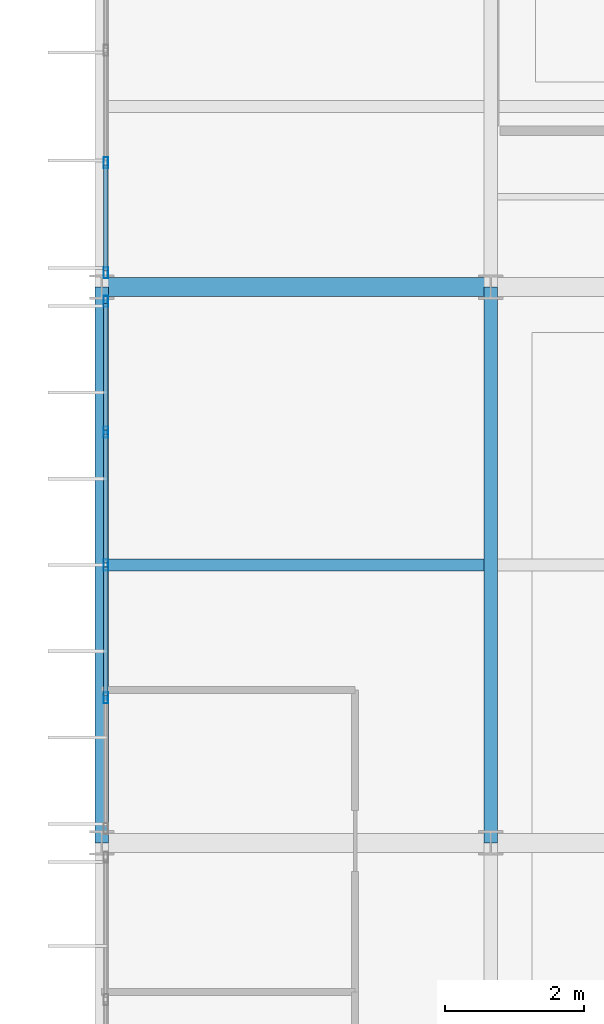
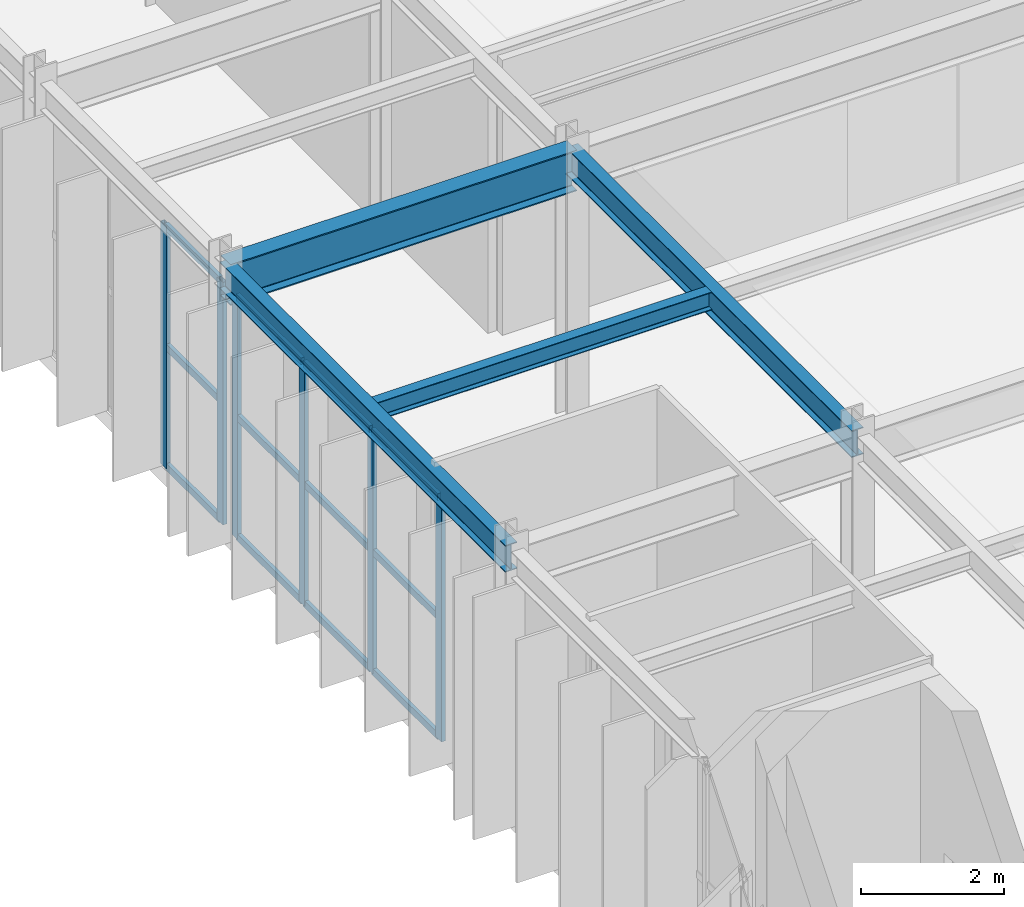
# One storey, part 36 of 144: 18 members, 4 beams, 2 elements without a shape of their own.
"""IFC4 building model written with IfcOpenShell, lengths in metres."""

from ifc_helpers import new_model, si_unit, direction, frame, origin, origin_2d, place, context, subcontext, project, spatial, hollow_rectangle, i_section, extrude, material, material_profile, profile_set, type_object, element, aggregate, save


model = new_model("IFC4")

# Units and contexts
model_context = context("Model", 3, precision=1e-05, world=origin(), true_north=direction((0.0, 1.0)))
body_context = subcontext(model_context, "Body", "Model", "MODEL_VIEW")
ifc_project = project(units=[si_unit("LENGTHUNIT", "METRE"), si_unit("AREAUNIT", "SQUARE_METRE"), si_unit("VOLUMEUNIT", "CUBIC_METRE"), si_unit("PLANEANGLEUNIT", "RADIAN"), si_unit("MASSUNIT", "GRAM", prefix="KILO")], contexts=[model_context])

# Site, building, storey
site_placement = place(None, origin())
site = spatial("IfcSite", under=ifc_project, at=site_placement, CompositionType="ELEMENT")
building_placement = place(site_placement, origin())
building = spatial("IfcBuilding", under=site, at=building_placement, Name="Karori Crest Natural Sciences Institute", CompositionType="ELEMENT")
storey_placement = place(building_placement, origin())
storey = spatial("IfcBuildingStorey", under=building, at=storey_placement, Name="L00", CompositionType="ELEMENT", Elevation=0.0)

# Beams
ifc_material_1 = material(Name="Structural steel AS/NZS 3679.1 Grade 350", Category="steel")
ifc_material_profile_1 = material_profile(ifc_material_1, i_section(OverallWidth=0.27490234375, OverallDepth=0.699951171875, WebThickness=0.010009765625, FlangeThickness=0.02001953125, FilletRadius=0.013916015625, at=origin_2d()), Name="700WB150")
ifc_profile_set_1 = profile_set([ifc_material_profile_1], Name="Structural steel AS/NZS 3679.1 Grade 350")
beam_type_1 = type_object("IfcBeamType", Name="BT-03", PredefinedType="BEAM", material=ifc_profile_set_1)
beam_1_placement = place(storey_placement, frame((1.800048828125, 55.0, 4.27001953125), z_axis=(1.0, 0.0, 0.0), x_axis=(0.0, 1.0, 0.0)))
element("IfcBeam", 1, at=beam_1_placement, inside=storey, type_object=beam_type_1, Name="Beam B-0949", PredefinedType="BEAM", context=body_context, shape_type="SweptSolid", body=[
    extrude(i_section(OverallWidth=0.27490234375, OverallDepth=0.699951171875, WebThickness=0.010009765625, FlangeThickness=0.02001953125, FilletRadius=0.013916015625, at=origin_2d()), origin(), (0.0, 0.0, 1.0), 5.599853515625),
])
ifc_material_profile_2 = material_profile(ifc_material_1, i_section(OverallWidth=0.19091796875, OverallDepth=0.4599609375, WebThickness=0.010009765625, FlangeThickness=0.01611328125, FilletRadius=0.010986328125, at=origin_2d()), Name="460UB82.1")
ifc_profile_set_2 = profile_set([ifc_material_profile_2], Name="Structural steel AS/NZS 3679.1 Grade 350")
beam_type_2 = type_object("IfcBeamType", Name="BT-06", PredefinedType="BEAM", material=ifc_profile_set_2)
beam_2_placement = place(storey_placement, frame((7.39990234375, 47.0, 4.389892578125), z_axis=(0.0, 1.0, 0.0), x_axis=(-1.0, 0.0, 0.0)))
element("IfcBeam", 2, at=beam_2_placement, inside=storey, type_object=beam_type_2, Name="Beam B-0970", PredefinedType="BEAM", context=body_context, shape_type="SweptSolid", body=[
    extrude(i_section(OverallWidth=0.19091796875, OverallDepth=0.4599609375, WebThickness=0.010009765625, FlangeThickness=0.01611328125, FilletRadius=0.010986328125, at=origin_2d()), origin(), (0.0, 0.0, 1.0), 8.0),
])
ifc_material_profile_3 = material_profile(ifc_material_1, i_section(OverallWidth=0.19091796875, OverallDepth=0.4599609375, WebThickness=0.010009765625, FlangeThickness=0.01611328125, FilletRadius=0.010986328125, at=origin_2d()), Name="460UB82.1")
ifc_profile_set_3 = profile_set([ifc_material_profile_3], Name="Structural steel AS/NZS 3679.1 Grade 350")
beam_type_3 = type_object("IfcBeamType", Name="BT-06-EL", PredefinedType="BEAM", material=ifc_profile_set_3)
beam_3_placement = place(storey_placement, frame((1.800048828125, 47.0, 4.389892578125), z_axis=(0.0, 1.0, 0.0), x_axis=(-1.0, 0.0, 0.0)))
element("IfcBeam", 3, at=beam_3_placement, inside=storey, type_object=beam_type_3, Name="Beam B-0963", PredefinedType="BEAM", context=body_context, shape_type="SweptSolid", body=[
    extrude(i_section(OverallWidth=0.19091796875, OverallDepth=0.4599609375, WebThickness=0.010009765625, FlangeThickness=0.01611328125, FilletRadius=0.010986328125, at=origin_2d()), origin(), (0.0, 0.0, 1.0), 8.0),
])
ifc_material_profile_4 = material_profile(ifc_material_1, i_section(OverallWidth=0.166015625, OverallDepth=0.306884765625, WebThickness=0.006591796875, FlangeThickness=0.01171875, FilletRadius=0.010986328125, at=origin_2d()), Name="310UB46.2")
ifc_profile_set_4 = profile_set([ifc_material_profile_4], Name="Structural steel AS/NZS 3679.1 Grade 350")
beam_type_4 = type_object("IfcBeamType", Name="BT-09", PredefinedType="BEAM", material=ifc_profile_set_4)
beam_4_placement = place(storey_placement, frame((1.8955078125, 51.0, 4.466552734375), z_axis=(1.0, 0.0, 0.0), x_axis=(0.0, 1.0, 0.0)))
element("IfcBeam", 4, at=beam_4_placement, inside=storey, type_object=beam_type_4, Name="Beam B-0989", PredefinedType="BEAM", context=body_context, shape_type="SweptSolid", body=[
    extrude(i_section(OverallWidth=0.166015625, OverallDepth=0.306884765625, WebThickness=0.006591796875, FlangeThickness=0.01171875, FilletRadius=0.010986328125, at=origin_2d()), origin(), (0.0, 0.0, 1.0), 5.408935546875),
])

# Curtain wall, members
ifc_material_2 = material(Name="Anodised architectural aluminium 6063-T6", Category="aluminium")
curtain_wall_type = type_object("IfcCurtainWallType", Name="CWT-17", PredefinedType="NOTDEFINED", material=ifc_material_2)
curtain_wall_1_placement = place(storey_placement, origin())
curtain_wall_1 = element("IfcCurtainWall", 5, at=curtain_wall_1_placement, inside=storey, type_object=curtain_wall_type, Name="Curtain wall CW-0255", PredefinedType="NOTDEFINED")
ifc_material_profile_5 = material_profile(ifc_material_2, hollow_rectangle(XDim=0.06494140625, YDim=0.159912109375, WallThickness=0.00390625, at=origin_2d()), Name="CWM160x65x4")
ifc_profile_set_5 = profile_set([ifc_material_profile_5], Name="Anodised architectural aluminium 6063-T6")
member_type_1 = type_object("IfcMemberType", Name="CWM-01", PredefinedType="MULLION", material=ifc_profile_set_5)
member_1_placement = place(storey_placement, frame((1.860107421875, 49.08642578125, 0.0), z_axis=(0.0, 0.0, 1.0), x_axis=(-1.0, 0.0, 0.0)))
member_1 = element("IfcMember", 6, at=member_1_placement, type_object=member_type_1, Name="CW-0255 mullion 2", PredefinedType="MULLION", context=body_context, shape_type="SweptSolid", body=[
    extrude(hollow_rectangle(XDim=0.06494140625, YDim=0.159912109375, WallThickness=0.00390625, at=origin_2d()), origin(), (0.0, 0.0, 1.0), 4.14501953125),
])
member_2_placement = place(storey_placement, frame((1.860107421875, 51.0, 0.0), z_axis=(0.0, 0.0, 1.0), x_axis=(-1.0, 0.0, 0.0)))
member_2 = element("IfcMember", 7, at=member_2_placement, type_object=member_type_1, Name="CW-0255 mullion 3", PredefinedType="MULLION", context=body_context, shape_type="SweptSolid", body=[
    extrude(hollow_rectangle(XDim=0.06494140625, YDim=0.159912109375, WallThickness=0.00390625, at=origin_2d()), origin(), (0.0, 0.0, 1.0), 4.14501953125),
])
member_3_placement = place(storey_placement, frame((1.860107421875, 52.91357421875, 0.0), z_axis=(0.0, 0.0, 1.0), x_axis=(-1.0, 0.0, 0.0)))
member_3 = element("IfcMember", 8, at=member_3_placement, type_object=member_type_1, Name="CW-0255 mullion 4", PredefinedType="MULLION", context=body_context, shape_type="SweptSolid", body=[
    extrude(hollow_rectangle(XDim=0.06494140625, YDim=0.159912109375, WallThickness=0.00390625, at=origin_2d()), origin(), (0.0, 0.0, 1.0), 4.14501953125),
])
member_4_placement = place(storey_placement, frame((1.860107421875, 54.79443359375, 0.0), z_axis=(0.0, 0.0, 1.0), x_axis=(-1.0, 0.0, 0.0)))
member_4 = element("IfcMember", 9, at=member_4_placement, type_object=member_type_1, Name="CW-0255 mullion 5", PredefinedType="MULLION", context=body_context, shape_type="SweptSolid", body=[
    extrude(hollow_rectangle(XDim=0.06494140625, YDim=0.159912109375, WallThickness=0.00390625, at=origin_2d()), origin(), (0.0, 0.0, 1.0), 4.14501953125),
])

curtain_wall_2_placement = place(storey_placement, origin())
curtain_wall_2 = element("IfcCurtainWall", 10, at=curtain_wall_2_placement, inside=storey, type_object=curtain_wall_type, Name="Curtain wall CW-0256", PredefinedType="NOTDEFINED")
member_5_placement = place(storey_placement, frame((1.860107421875, 55.20556640625, 0.0), z_axis=(0.0, 0.0, 1.0), x_axis=(-1.0, 0.0, 0.0)))
member_5 = element("IfcMember", 11, at=member_5_placement, type_object=member_type_1, Name="CW-0256 mullion 1", PredefinedType="MULLION", context=body_context, shape_type="SweptSolid", body=[
    extrude(hollow_rectangle(XDim=0.06494140625, YDim=0.159912109375, WallThickness=0.00390625, at=origin_2d()), origin(), (0.0, 0.0, 1.0), 4.14501953125),
])
member_6_placement = place(storey_placement, frame((1.860107421875, 56.791015625, 0.0), z_axis=(0.0, 0.0, 1.0), x_axis=(-1.0, 0.0, 0.0)))
member_6 = element("IfcMember", 12, at=member_6_placement, type_object=member_type_1, Name="CW-0256 mullion 2", PredefinedType="MULLION", context=body_context, shape_type="SweptSolid", body=[
    extrude(hollow_rectangle(XDim=0.06494140625, YDim=0.159912109375, WallThickness=0.00390625, at=origin_2d()), origin(), (0.0, 0.0, 1.0), 4.14501953125),
])

# Member
ifc_material_profile_6 = material_profile(ifc_material_2, hollow_rectangle(XDim=0.06005859375, YDim=0.1201171875, WallThickness=0.00390625, at=origin_2d()), Name="CWT120x60x4")
ifc_profile_set_6 = profile_set([ifc_material_profile_6], Name="Anodised architectural aluminium 6063-T6")
member_type_2 = type_object("IfcMemberType", Name="CWT-TR1", PredefinedType="USERDEFINED", material=ifc_profile_set_6)
member_7_placement = place(storey_placement, frame((1.860107421875, 49.118896484375, 0.030029296875), z_axis=(0.0, 1.0, 0.0), x_axis=(-1.0, 0.0, 0.0)))
member_7 = element("IfcMember", 13, at=member_7_placement, type_object=member_type_2, Name="CW-0255 transom 2.1", ObjectType="TRANSOM", PredefinedType="USERDEFINED", context=body_context, shape_type="SweptSolid", body=[
    extrude(hollow_rectangle(XDim=0.06005859375, YDim=0.1201171875, WallThickness=0.00390625, at=origin_2d()), origin(), (0.0, 0.0, 1.0), 1.8486328125),
])

member_8_placement = place(storey_placement, frame((1.860107421875, 49.118896484375, 2.072509765625), z_axis=(0.0, 1.0, 0.0), x_axis=(-1.0, 0.0, 0.0)))
member_8 = element("IfcMember", 14, at=member_8_placement, type_object=member_type_2, Name="CW-0255 transom 2.2", ObjectType="TRANSOM", PredefinedType="USERDEFINED", context=body_context, shape_type="SweptSolid", body=[
    extrude(hollow_rectangle(XDim=0.06005859375, YDim=0.1201171875, WallThickness=0.00390625, at=origin_2d()), origin(), (0.0, 0.0, 1.0), 1.8486328125),
])

member_9_placement = place(storey_placement, frame((1.860107421875, 49.118896484375, 4.114990234375), z_axis=(0.0, 1.0, 0.0), x_axis=(-1.0, 0.0, 0.0)))
member_9 = element("IfcMember", 15, at=member_9_placement, type_object=member_type_2, Name="CW-0255 transom 2.3", ObjectType="TRANSOM", PredefinedType="USERDEFINED", context=body_context, shape_type="SweptSolid", body=[
    extrude(hollow_rectangle(XDim=0.06005859375, YDim=0.1201171875, WallThickness=0.00390625, at=origin_2d()), origin(), (0.0, 0.0, 1.0), 1.8486328125),
])

member_10_placement = place(storey_placement, frame((1.860107421875, 51.032470703125, 0.030029296875), z_axis=(0.0, 1.0, 0.0), x_axis=(-1.0, 0.0, 0.0)))
member_10 = element("IfcMember", 16, at=member_10_placement, type_object=member_type_2, Name="CW-0255 transom 3.1", ObjectType="TRANSOM", PredefinedType="USERDEFINED", context=body_context, shape_type="SweptSolid", body=[
    extrude(hollow_rectangle(XDim=0.06005859375, YDim=0.1201171875, WallThickness=0.00390625, at=origin_2d()), origin(), (0.0, 0.0, 1.0), 1.8486328125),
])

member_11_placement = place(storey_placement, frame((1.860107421875, 51.032470703125, 2.072509765625), z_axis=(0.0, 1.0, 0.0), x_axis=(-1.0, 0.0, 0.0)))
member_11 = element("IfcMember", 17, at=member_11_placement, type_object=member_type_2, Name="CW-0255 transom 3.2", ObjectType="TRANSOM", PredefinedType="USERDEFINED", context=body_context, shape_type="SweptSolid", body=[
    extrude(hollow_rectangle(XDim=0.06005859375, YDim=0.1201171875, WallThickness=0.00390625, at=origin_2d()), origin(), (0.0, 0.0, 1.0), 1.8486328125),
])

member_12_placement = place(storey_placement, frame((1.860107421875, 51.032470703125, 4.114990234375), z_axis=(0.0, 1.0, 0.0), x_axis=(-1.0, 0.0, 0.0)))
member_12 = element("IfcMember", 18, at=member_12_placement, type_object=member_type_2, Name="CW-0255 transom 3.3", ObjectType="TRANSOM", PredefinedType="USERDEFINED", context=body_context, shape_type="SweptSolid", body=[
    extrude(hollow_rectangle(XDim=0.06005859375, YDim=0.1201171875, WallThickness=0.00390625, at=origin_2d()), origin(), (0.0, 0.0, 1.0), 1.8486328125),
])

member_13_placement = place(storey_placement, frame((1.860107421875, 52.946044921875, 0.030029296875), z_axis=(0.0, 1.0, 0.0), x_axis=(-1.0, 0.0, 0.0)))
member_13 = element("IfcMember", 19, at=member_13_placement, type_object=member_type_2, Name="CW-0255 transom 4.1", ObjectType="TRANSOM", PredefinedType="USERDEFINED", context=body_context, shape_type="SweptSolid", body=[
    extrude(hollow_rectangle(XDim=0.06005859375, YDim=0.1201171875, WallThickness=0.00390625, at=origin_2d()), origin(), (0.0, 0.0, 1.0), 1.81591796875),
])

member_14_placement = place(storey_placement, frame((1.860107421875, 52.946044921875, 2.072509765625), z_axis=(0.0, 1.0, 0.0), x_axis=(-1.0, 0.0, 0.0)))
member_14 = element("IfcMember", 20, at=member_14_placement, type_object=member_type_2, Name="CW-0255 transom 4.2", ObjectType="TRANSOM", PredefinedType="USERDEFINED", context=body_context, shape_type="SweptSolid", body=[
    extrude(hollow_rectangle(XDim=0.06005859375, YDim=0.1201171875, WallThickness=0.00390625, at=origin_2d()), origin(), (0.0, 0.0, 1.0), 1.81591796875),
])

member_15_placement = place(storey_placement, frame((1.860107421875, 52.946044921875, 4.114990234375), z_axis=(0.0, 1.0, 0.0), x_axis=(-1.0, 0.0, 0.0)))
member_15 = element("IfcMember", 21, at=member_15_placement, type_object=member_type_2, Name="CW-0255 transom 4.3", ObjectType="TRANSOM", PredefinedType="USERDEFINED", context=body_context, shape_type="SweptSolid", body=[
    extrude(hollow_rectangle(XDim=0.06005859375, YDim=0.1201171875, WallThickness=0.00390625, at=origin_2d()), origin(), (0.0, 0.0, 1.0), 1.81591796875),
])

aggregate(curtain_wall_1, [member_1, member_2, member_3, member_4, member_7, member_8, member_9, member_10, member_11, member_12, member_13, member_14, member_15])

member_16_placement = place(storey_placement, frame((1.860107421875, 55.238037109375, 0.030029296875), z_axis=(0.0, 1.0, 0.0), x_axis=(-1.0, 0.0, 0.0)))
member_16 = element("IfcMember", 22, at=member_16_placement, type_object=member_type_2, Name="CW-0256 transom 1.1", ObjectType="TRANSOM", PredefinedType="USERDEFINED", context=body_context, shape_type="SweptSolid", body=[
    extrude(hollow_rectangle(XDim=0.06005859375, YDim=0.1201171875, WallThickness=0.00390625, at=origin_2d()), origin(), (0.0, 0.0, 1.0), 1.5205078125),
])

member_17_placement = place(storey_placement, frame((1.860107421875, 55.238037109375, 2.072509765625), z_axis=(0.0, 1.0, 0.0), x_axis=(-1.0, 0.0, 0.0)))
member_17 = element("IfcMember", 23, at=member_17_placement, type_object=member_type_2, Name="CW-0256 transom 1.2", ObjectType="TRANSOM", PredefinedType="USERDEFINED", context=body_context, shape_type="SweptSolid", body=[
    extrude(hollow_rectangle(XDim=0.06005859375, YDim=0.1201171875, WallThickness=0.00390625, at=origin_2d()), origin(), (0.0, 0.0, 1.0), 1.5205078125),
])

member_18_placement = place(storey_placement, frame((1.860107421875, 55.238037109375, 4.114990234375), z_axis=(0.0, 1.0, 0.0), x_axis=(-1.0, 0.0, 0.0)))
member_18 = element("IfcMember", 24, at=member_18_placement, type_object=member_type_2, Name="CW-0256 transom 1.3", ObjectType="TRANSOM", PredefinedType="USERDEFINED", context=body_context, shape_type="SweptSolid", body=[
    extrude(hollow_rectangle(XDim=0.06005859375, YDim=0.1201171875, WallThickness=0.00390625, at=origin_2d()), origin(), (0.0, 0.0, 1.0), 1.5205078125),
])

aggregate(curtain_wall_2, [member_5, member_6, member_16, member_17, member_18])

save(model, "model.ifc")
